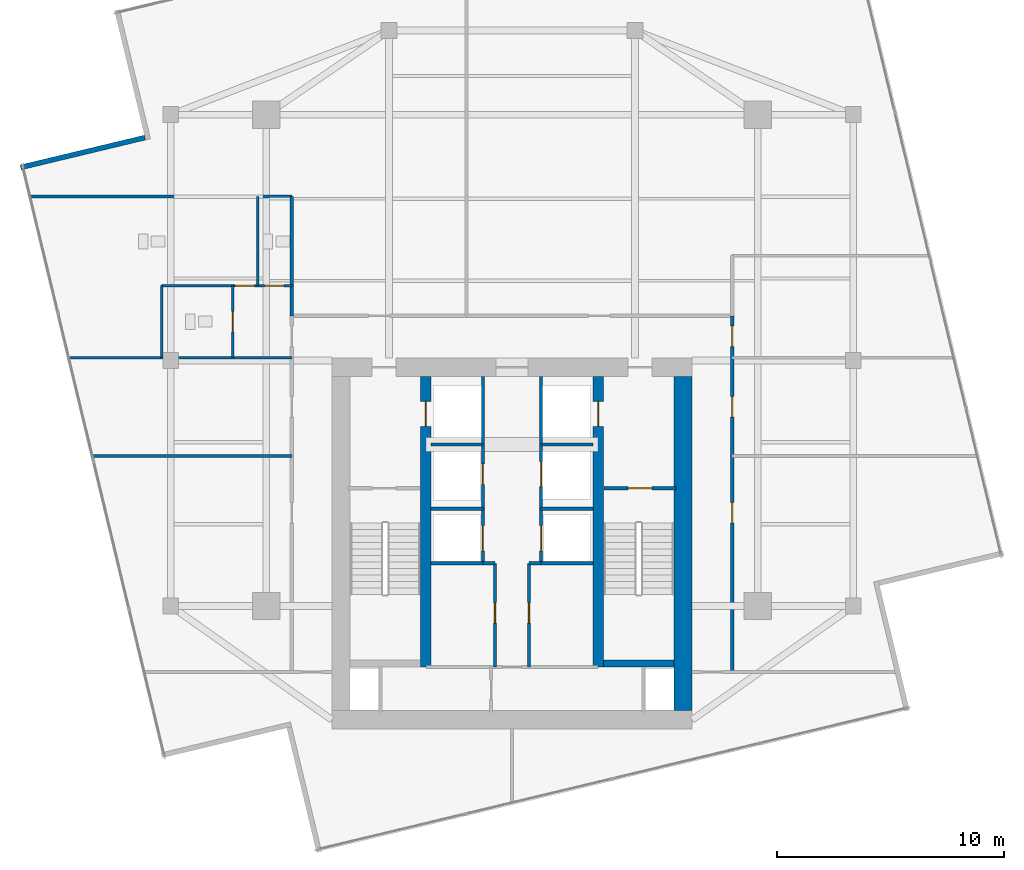
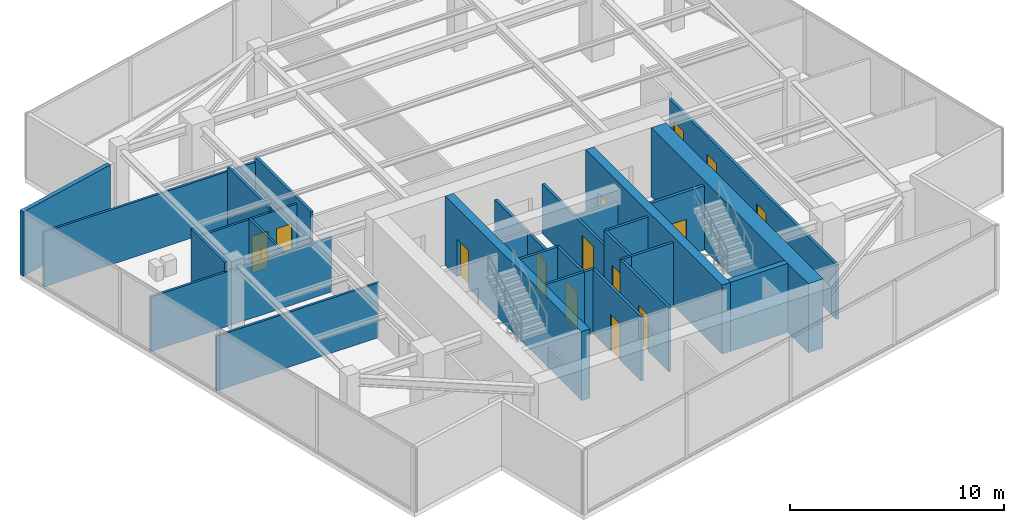
# One storey, part 19 of 22: 29 walls, 15 doors, 15 openings.
"""IFC4 building model written with IfcOpenShell, lengths in metres."""

from ifc_helpers import new_model, si_unit, direction, frame, frame_2d, origin, place, context, subcontext, project, spatial, rectangle, extrude, material, layer, layer_set, type_object, element, fill, save


model = new_model("IFC4")

# Units and contexts
model_context = context("Model", 3, precision=1e-05, world=origin(), true_north=direction((0.0, 1.0)))
body_context = subcontext(model_context, "Body", "Model", "MODEL_VIEW")
ifc_project = project(units=[si_unit("LENGTHUNIT", "METRE"), si_unit("AREAUNIT", "SQUARE_METRE"), si_unit("VOLUMEUNIT", "CUBIC_METRE"), si_unit("PLANEANGLEUNIT", "RADIAN"), si_unit("MASSUNIT", "GRAM", prefix="KILO")], contexts=[model_context])

# Site, building, storey
site_placement = place(None, origin())
site = spatial("IfcSite", under=ifc_project, at=site_placement, CompositionType="ELEMENT")
building_placement = place(site_placement, origin())
building = spatial("IfcBuilding", under=site, at=building_placement, Name="Krantzveldt Concourse Tower", CompositionType="ELEMENT")
storey_placement = place(building_placement, frame((0.0, 0.0, 355.35009765625)))
storey = spatial("IfcBuildingStorey", under=building, at=storey_placement, Name="L87", CompositionType="ELEMENT", Elevation=355.35009765625)

# Walls
ifc_material_1 = material(Name="Anodised aluminium 6063-T6", Category="aluminium")
ifc_layer_1 = layer(ifc_material_1, 0.219970703125, Name="Anodised aluminium 6063-T6", Category="aluminium")
ifc_layer_set_1 = layer_set([ifc_layer_1], Name="Anodised aluminium 6063-T6 (WL-EXT-NOTCH220)")
wall_type_1 = type_object("IfcWallType", Name="WL-EXT-NOTCH220", PredefinedType="ELEMENTEDWALL", material=ifc_layer_set_1)
wall_1_placement = place(storey_placement, frame((19.86767578125, 36.49462890625, 0.0), z_axis=(0.0, 0.0, 1.0), x_axis=(-0.972364840687, -0.233466521361, 0.0)))
element("IfcWall", 1, at=wall_1_placement, inside=storey, type_object=wall_type_1, Name="EW-L87-NCH03", PredefinedType="ELEMENTEDWALL", context=body_context, shape_type="SweptSolid", body=[
    extrude(rectangle(XDim=5.625, YDim=0.219970703125, at=frame_2d((2.8125, 0.0))), origin(), (0.0, 0.0, 1.0), 3.669921875),
])
ifc_material_2 = material(Name="Fire-rated gypsum plasterboard on steel stud", Category="steel")
ifc_layer_2 = layer(ifc_material_2, 0.1201171875, Name="Fire-rated gypsum plasterboard on steel stud", Category="steel")
ifc_layer_set_2 = layer_set([ifc_layer_2], Name="Fire-rated gypsum plasterboard on steel stud (WL-PART-120)")
wall_type_2 = type_object("IfcWallType", Name="WL-PART-120", PredefinedType="PARTITIONING", material=ifc_layer_set_2)
wall_2_placement = place(storey_placement, frame((16.52392578125, 26.820068359375, 0.0), z_axis=(0.0, 0.0, 1.0), x_axis=(1.0, 0.0, 0.0)))
element("IfcWall", 2, at=wall_2_placement, inside=storey, type_object=wall_type_2, Name="WP-L87-WCBS", PredefinedType="PARTITIONING", context=body_context, shape_type="SweptSolid", body=[
    extrude(rectangle(XDim=9.796142578125, YDim=0.1201171875, at=frame_2d((4.89794921875, 0.0))), origin(), (0.0, 0.0, 1.0), 3.1298828125),
])
wall_3_placement = place(storey_placement, frame((14.82421875, 33.89990234375, 0.0), z_axis=(0.0, 0.0, 1.0), x_axis=(1.0, 0.0, 0.0)))
element("IfcWall", 3, at=wall_3_placement, inside=storey, type_object=wall_type_2, Name="WP-L87-WCBN", PredefinedType="PARTITIONING", context=body_context, shape_type="SweptSolid", body=[
    extrude(rectangle(XDim=11.495849609375, YDim=0.1201171875, at=frame_2d((5.748046875, 0.0))), origin(), (0.0, 0.0, 1.0), 3.1298828125),
])

# Wall, openings, doors
wall_4_placement = place(storey_placement, frame((20.60009765625, 29.97998046875, 0.0), z_axis=(0.0, 0.0, 1.0), x_axis=(1.0, 0.0, 0.0)))
wall_4 = element("IfcWall", 4, at=wall_4_placement, inside=storey, type_object=wall_type_2, Name="WP-L87-WCMH", PredefinedType="PARTITIONING", context=body_context, shape_type="SweptSolid", body=[
    extrude(rectangle(XDim=5.719970703125, YDim=0.1201171875, at=frame_2d((2.85986328125, 0.0))), origin(), (0.0, 0.0, 1.0), 3.1298828125),
])
opening_1_placement = place(wall_4_placement, frame((3.22509765625, 0.0, 0.0)))
opening_1 = element("IfcOpeningElement", 5, at=opening_1_placement, cuts=wall_4, Name="Opening D-IN085", PredefinedType="OPENING", context=body_context, shape_type="SweptSolid", body=[
    extrude(rectangle(XDim=0.85009765625, YDim=2.10009765625, at=frame_2d((0.425048828125, 1.050048828125))), frame((0.0, 0.070068359375, 0.0), z_axis=(0.0, -1.0, 0.0), x_axis=(1.0, 0.0, 0.0)), (0.0, 0.0, 1.0), 0.14013671875),
])
opening_2_placement = place(wall_4_placement, frame((4.52490234375, 0.0, 0.0)))
opening_2 = element("IfcOpeningElement", 6, at=opening_2_placement, cuts=wall_4, Name="Opening D-IN085", PredefinedType="OPENING", context=body_context, shape_type="SweptSolid", body=[
    extrude(rectangle(XDim=0.85009765625, YDim=2.10009765625, at=frame_2d((0.425048828125, 1.050048828125))), frame((0.0, 0.070068359375, 0.0), z_axis=(0.0, -1.0, 0.0), x_axis=(1.0, 0.0, 0.0)), (0.0, 0.0, 1.0), 0.14013671875),
])
ifc_material_3 = material(Name="Hardwood timber", Category="wood")
door_type_1 = type_object("IfcDoorType", Name="DR-INT-850", OperationType="SINGLE_SWING_LEFT", PredefinedType="DOOR", material=ifc_material_3)
door_1_placement = place(opening_1_placement, origin())
door_1 = element("IfcDoor", 7, at=door_1_placement, inside=storey, type_object=door_type_1, Name="DR-L87-WCM", OperationType="SINGLE_SWING_LEFT", OverallHeight=2.10009765625, OverallWidth=0.85009765625, PredefinedType="DOOR", context=body_context, shape_type="SweptSolid", body=[
    extrude(rectangle(XDim=0.85009765625, YDim=2.10009765625, at=frame_2d((0.425048828125, 1.050048828125))), frame((0.0, 0.02490234375, 0.0), z_axis=(0.0, -1.0, 0.0), x_axis=(1.0, 0.0, 0.0)), (0.0, 0.0, 1.0), 0.050048828125),
])
fill(opening_1, door_1)
door_2_placement = place(opening_2_placement, origin())
door_2 = element("IfcDoor", 8, at=door_2_placement, inside=storey, type_object=door_type_1, Name="DR-L87-WCF", OperationType="SINGLE_SWING_RIGHT", OverallHeight=2.10009765625, OverallWidth=0.85009765625, PredefinedType="DOOR", context=body_context, shape_type="SweptSolid", body=[
    extrude(rectangle(XDim=0.85009765625, YDim=2.10009765625, at=frame_2d((0.425048828125, 1.050048828125))), frame((0.0, 0.02490234375, 0.0), z_axis=(0.0, -1.0, 0.0), x_axis=(1.0, 0.0, 0.0)), (0.0, 0.0, 1.0), 0.050048828125),
])
fill(opening_2, door_2)

# Wall
wall_5_placement = place(storey_placement, frame((20.60009765625, 26.820068359375, 0.0), z_axis=(0.0, 0.0, 1.0), x_axis=(0.0, 1.0, 0.0)))
element("IfcWall", 9, at=wall_5_placement, inside=storey, type_object=wall_type_2, Name="WP-L87-WCAL", PredefinedType="PARTITIONING", context=body_context, shape_type="SweptSolid", body=[
    extrude(rectangle(XDim=3.159912109375, YDim=0.1201171875, at=frame_2d((1.580078125, 0.0))), origin(), (0.0, 0.0, 1.0), 3.669921875),
])

# Wall, opening, door
wall_6_placement = place(storey_placement, frame((23.719970703125, 26.820068359375, 0.0), z_axis=(0.0, 0.0, 1.0), x_axis=(0.0, 1.0, 0.0)))
wall_6 = element("IfcWall", 10, at=wall_6_placement, inside=storey, type_object=wall_type_2, Name="WP-L87-WCAV", PredefinedType="PARTITIONING", context=body_context, shape_type="SweptSolid", body=[
    extrude(rectangle(XDim=3.159912109375, YDim=0.1201171875, at=frame_2d((1.580078125, 0.0))), origin(), (0.0, 0.0, 1.0), 3.179931640625),
])
opening_3_placement = place(wall_6_placement, frame((1.1298828125, 0.0, 0.0)))
opening_3 = element("IfcOpeningElement", 11, at=opening_3_placement, cuts=wall_6, Name="Opening D-IN090", PredefinedType="OPENING", context=body_context, shape_type="SweptSolid", body=[
    extrude(rectangle(XDim=0.89990234375, YDim=2.10009765625, at=frame_2d((0.449951171875, 1.050048828125))), frame((0.0, 0.070068359375, 0.0), z_axis=(0.0, -1.0, 0.0), x_axis=(1.0, 0.0, 0.0)), (0.0, 0.0, 1.0), 0.14013671875),
])
door_type_2 = type_object("IfcDoorType", Name="DR-INT-900", OperationType="SINGLE_SWING_LEFT", PredefinedType="DOOR", material=ifc_material_3)
door_3_placement = place(opening_3_placement, origin())
door_3 = element("IfcDoor", 12, at=door_3_placement, inside=storey, type_object=door_type_2, Name="DR-L87-WCA", OperationType="SINGLE_SWING_LEFT", OverallHeight=2.10009765625, OverallWidth=0.89990234375, PredefinedType="DOOR", context=body_context, shape_type="SweptSolid", body=[
    extrude(rectangle(XDim=0.89990234375, YDim=2.10009765625, at=frame_2d((0.449951171875, 1.050048828125))), frame((0.0, 0.02490234375, 0.0), z_axis=(0.0, -1.0, 0.0), x_axis=(1.0, 0.0, 0.0)), (0.0, 0.0, 1.0), 0.050048828125),
])
fill(opening_3, door_3)

# Walls
wall_7_placement = place(storey_placement, frame((24.820068359375, 29.97998046875, 0.0), z_axis=(0.0, 0.0, 1.0), x_axis=(0.0, 1.0, 0.0)))
element("IfcWall", 13, at=wall_7_placement, inside=storey, type_object=wall_type_2, Name="WP-L87-WCFD", PredefinedType="PARTITIONING", context=body_context, shape_type="SweptSolid", body=[
    extrude(rectangle(XDim=3.919921875, YDim=0.1201171875, at=frame_2d((1.9599609375, 0.0))), origin(), (0.0, 0.0, 1.0), 3.369873046875),
])
wall_8_placement = place(storey_placement, frame((17.56103515625, 22.5, 0.0), z_axis=(0.0, 0.0, 1.0), x_axis=(1.0, 0.0, 0.0)))
element("IfcWall", 14, at=wall_8_placement, inside=storey, type_object=wall_type_2, Name="WP-L87-WD1", PredefinedType="PARTITIONING", context=body_context, shape_type="SweptSolid", body=[
    extrude(rectangle(XDim=8.759033203125, YDim=0.1201171875, at=frame_2d((4.37939453125, 0.0))), origin(), (0.0, 0.0, 1.0), 3.1298828125),
])

# Wall, openings, doors
ifc_layer_3 = layer(ifc_material_2, 0.139892578125, Name="Fire-rated gypsum plasterboard on steel stud", Category="steel")
ifc_layer_set_3 = layer_set([ifc_layer_3], Name="Fire-rated gypsum plasterboard on steel stud (WL-PART-140)")
wall_type_3 = type_object("IfcWallType", Name="WL-PART-140", PredefinedType="PARTITIONING", material=ifc_layer_set_3)
wall_9_placement = place(storey_placement, frame((45.679931640625, 13.0, 0.0), z_axis=(0.0, 0.0, 1.0), x_axis=(0.0, 1.0, 0.0)))
wall_9 = element("IfcWall", 15, at=wall_9_placement, inside=storey, type_object=wall_type_3, Name="WP-L87-CEAST", PredefinedType="PARTITIONING", context=body_context, shape_type="SweptSolid", body=[
    extrude(rectangle(XDim=15.659912109375, YDim=0.139892578125, at=frame_2d((7.830078125, 0.0))), origin(), (0.0, 0.0, 1.0), 3.1298828125),
])
opening_4_placement = place(wall_9_placement, frame((14.300048828125, 0.0, 0.0)))
opening_4 = element("IfcOpeningElement", 16, at=opening_4_placement, cuts=wall_9, Name="Opening D-IN090", PredefinedType="OPENING", context=body_context, shape_type="SweptSolid", body=[
    extrude(rectangle(XDim=0.89990234375, YDim=2.10009765625, at=frame_2d((0.449951171875, 1.050048828125))), frame((0.0, 0.080078125, 0.0), z_axis=(0.0, -1.0, 0.0), x_axis=(1.0, 0.0, 0.0)), (0.0, 0.0, 1.0), 0.159912109375),
])
opening_5_placement = place(wall_9_placement, frame((6.550048828125, 0.0, 0.0)))
opening_5 = element("IfcOpeningElement", 17, at=opening_5_placement, cuts=wall_9, Name="Opening D-IN090", PredefinedType="OPENING", context=body_context, shape_type="SweptSolid", body=[
    extrude(rectangle(XDim=0.89990234375, YDim=2.10009765625, at=frame_2d((0.449951171875, 1.050048828125))), frame((0.0, 0.080078125, 0.0), z_axis=(0.0, -1.0, 0.0), x_axis=(1.0, 0.0, 0.0)), (0.0, 0.0, 1.0), 0.159912109375),
])
opening_6_placement = place(wall_9_placement, frame((11.2099609375, 0.0, 0.0)))
opening_6 = element("IfcOpeningElement", 18, at=opening_6_placement, cuts=wall_9, Name="Opening D-IN090", PredefinedType="OPENING", context=body_context, shape_type="SweptSolid", body=[
    extrude(rectangle(XDim=0.89990234375, YDim=2.10009765625, at=frame_2d((0.449951171875, 1.050048828125))), frame((0.0, 0.080078125, 0.0), z_axis=(0.0, -1.0, 0.0), x_axis=(1.0, 0.0, 0.0)), (0.0, 0.0, 1.0), 0.159912109375),
])
door_4_placement = place(opening_4_placement, origin())
door_4 = element("IfcDoor", 19, at=door_4_placement, inside=storey, type_object=door_type_2, Name="DR-L87-PNT", OperationType="SINGLE_SWING_RIGHT", OverallHeight=2.10009765625, OverallWidth=0.89990234375, PredefinedType="DOOR", context=body_context, shape_type="SweptSolid", body=[
    extrude(rectangle(XDim=0.89990234375, YDim=2.10009765625, at=frame_2d((0.449951171875, 1.050048828125))), frame((0.0, 0.02490234375, 0.0), z_axis=(0.0, -1.0, 0.0), x_axis=(1.0, 0.0, 0.0)), (0.0, 0.0, 1.0), 0.050048828125),
])
fill(opening_4, door_4)
door_5_placement = place(opening_5_placement, origin())
door_5 = element("IfcDoor", 20, at=door_5_placement, inside=storey, type_object=door_type_2, Name="DR-L87-ER1", OperationType="SINGLE_SWING_LEFT", OverallHeight=2.10009765625, OverallWidth=0.89990234375, PredefinedType="DOOR", context=body_context, shape_type="SweptSolid", body=[
    extrude(rectangle(XDim=0.89990234375, YDim=2.10009765625, at=frame_2d((0.449951171875, 1.050048828125))), frame((0.0, 0.02490234375, 0.0), z_axis=(0.0, -1.0, 0.0), x_axis=(1.0, 0.0, 0.0)), (0.0, 0.0, 1.0), 0.050048828125),
])
fill(opening_5, door_5)
door_6_placement = place(opening_6_placement, origin())
door_6 = element("IfcDoor", 21, at=door_6_placement, inside=storey, type_object=door_type_2, Name="DR-L87-ER2", OperationType="SINGLE_SWING_LEFT", OverallHeight=2.10009765625, OverallWidth=0.89990234375, PredefinedType="DOOR", context=body_context, shape_type="SweptSolid", body=[
    extrude(rectangle(XDim=0.89990234375, YDim=2.10009765625, at=frame_2d((0.449951171875, 1.050048828125))), frame((0.0, 0.02490234375, 0.0), z_axis=(0.0, -1.0, 0.0), x_axis=(1.0, 0.0, 0.0)), (0.0, 0.0, 1.0), 0.050048828125),
])
fill(opening_6, door_6)

# Wall
wall_10_placement = place(storey_placement, frame((26.320068359375, 28.659912109375, 0.0), z_axis=(0.0, 0.0, 1.0), x_axis=(0.0, 1.0, 0.0)))
element("IfcWall", 22, at=wall_10_placement, inside=storey, type_object=wall_type_3, Name="WP-L87-NWL", PredefinedType="PARTITIONING", context=body_context, shape_type="SweptSolid", body=[
    extrude(rectangle(XDim=5.239990234375, YDim=0.139892578125, at=frame_2d((2.6201171875, 0.0))), origin(), (0.0, 0.0, 1.0), 3.429931640625),
])

# Wall, opening, door
ifc_layer_4 = layer(ifc_material_2, 0.139892578125, Name="Fire-rated gypsum plasterboard on steel stud", Category="steel")
ifc_layer_set_4 = layer_set([ifc_layer_4], Name="Fire-rated gypsum plasterboard on steel stud (WL-PART-FR140)")
wall_type_4 = type_object("IfcWallType", Name="WL-PART-FR140", PredefinedType="PARTITIONING", material=ifc_layer_set_4)
wall_11_placement = place(storey_placement, frame((34.719970703125, 20.199951171875, 0.0), z_axis=(0.0, 0.0, 1.0), x_axis=(0.0, 1.0, 0.0)))
wall_11 = element("IfcWall", 23, at=wall_11_placement, inside=storey, type_object=wall_type_4, Name="WP-L87-SHNW", PredefinedType="PARTITIONING", context=body_context, shape_type="SweptSolid", body=[
    extrude(rectangle(XDim=5.780029296875, YDim=0.139892578125, at=frame_2d((2.89013671875, 0.0))), origin(), (0.0, 0.0, 1.0), 2.81982421875),
])
opening_7_placement = place(wall_11_placement, frame((1.050048828125, 0.0, 0.0)))
opening_7 = element("IfcOpeningElement", 24, at=opening_7_placement, cuts=wall_11, Name="Opening D-FD090", PredefinedType="OPENING", context=body_context, shape_type="SweptSolid", body=[
    extrude(rectangle(XDim=0.89990234375, YDim=2.10009765625, at=frame_2d((0.449951171875, 1.050048828125))), frame((0.0, 0.080078125, 0.0), z_axis=(0.0, -1.0, 0.0), x_axis=(1.0, 0.0, 0.0)), (0.0, 0.0, 1.0), 0.159912109375),
])
door_type_3 = type_object("IfcDoorType", Name="DR-FD60-900", OperationType="SINGLE_SWING_LEFT", PredefinedType="DOOR", material=ifc_material_3)
door_7_placement = place(opening_7_placement, origin())
door_7 = element("IfcDoor", 25, at=door_7_placement, inside=storey, type_object=door_type_3, Name="Electrical Riser Access Door L87", OperationType="SINGLE_SWING_LEFT", OverallHeight=2.10009765625, OverallWidth=0.89990234375, PredefinedType="DOOR", context=body_context, shape_type="SweptSolid", body=[
    extrude(rectangle(XDim=0.89990234375, YDim=2.10009765625, at=frame_2d((0.449951171875, 1.050048828125))), frame((0.0, 0.02490234375, 0.0), z_axis=(0.0, -1.0, 0.0), x_axis=(1.0, 0.0, 0.0)), (0.0, 0.0, 1.0), 0.050048828125),
])
fill(opening_7, door_7)

wall_12_placement = place(storey_placement, frame((37.280029296875, 20.199951171875, 0.0), z_axis=(0.0, 0.0, 1.0), x_axis=(0.0, 1.0, 0.0)))
wall_12 = element("IfcWall", 26, at=wall_12_placement, inside=storey, type_object=wall_type_4, Name="WP-L87-SHNE", PredefinedType="PARTITIONING", context=body_context, shape_type="SweptSolid", body=[
    extrude(rectangle(XDim=5.780029296875, YDim=0.139892578125, at=frame_2d((2.89013671875, 0.0))), origin(), (0.0, 0.0, 1.0), 2.81982421875),
])
opening_8_placement = place(wall_12_placement, frame((0.949951171875, 0.0, 0.0)))
opening_8 = element("IfcOpeningElement", 27, at=opening_8_placement, cuts=wall_12, Name="Opening LD", PredefinedType="OPENING", context=body_context, shape_type="SweptSolid", body=[
    extrude(rectangle(XDim=1.10009765625, YDim=2.14990234375, at=frame_2d((0.550048828125, 1.074951171875))), frame((0.0, 0.080078125, 0.0), z_axis=(0.0, -1.0, 0.0), x_axis=(1.0, 0.0, 0.0)), (0.0, 0.0, 1.0), 0.159912109375),
])
ifc_material_4 = material(Name="Stainless steel 316L", Category="steel")
door_type_4 = type_object("IfcDoorType", Name="DR-SLIDE-LD1100", OperationType="DOUBLE_DOOR_SLIDING", PredefinedType="DOOR", material=ifc_material_4)
door_8_placement = place(opening_8_placement, origin())
door_8 = element("IfcDoor", 28, at=door_8_placement, inside=storey, type_object=door_type_4, Name="LD-L87-GL1", OperationType="DOUBLE_DOOR_SLIDING", OverallHeight=2.14990234375, OverallWidth=1.10009765625, PredefinedType="DOOR", context=body_context, shape_type="SweptSolid", body=[
    extrude(rectangle(XDim=1.10009765625, YDim=2.14990234375, at=frame_2d((0.550048828125, 1.074951171875))), frame((0.0, 0.02490234375, 0.0), z_axis=(0.0, -1.0, 0.0), x_axis=(1.0, 0.0, 0.0)), (0.0, 0.0, 1.0), 0.050048828125),
])
fill(opening_8, door_8)

# Walls
for number, where, z_axis, x_axis, name in (
    (29, (32.449951171875, 23.0, 0.0), (0.0, 0.0, 1.0), (1.0, 0.0, 0.0), "WP-L87-RISH"),
    (30, (37.280029296875, 23.0, 0.0), (0.0, 0.0, 1.0), (1.0, 0.0, 0.0), "WP-L87-GLH"),
):
    element("IfcWall", number, at=place(storey_placement, frame(where, z_axis=z_axis, x_axis=x_axis)), inside=storey, type_object=wall_type_4, Name=name, PredefinedType="PARTITIONING", context=body_context, shape_type="SweptSolid", body=[
        extrude(rectangle(XDim=2.27001953125, YDim=0.139892578125, at=frame_2d((1.135009765625, 0.0))), origin(), (0.0, 0.0, 1.0), 2.81982421875),
    ])

# Wall, opening, door
wall_13_placement = place(storey_placement, frame((34.719970703125, 17.780029296875, 0.0), z_axis=(0.0, 0.0, 1.0), x_axis=(0.0, 1.0, 0.0)))
wall_13 = element("IfcWall", 31, at=wall_13_placement, inside=storey, type_object=wall_type_4, Name="WP-L87-SHNW2", PredefinedType="PARTITIONING", context=body_context, shape_type="SweptSolid", body=[
    extrude(rectangle(XDim=2.419921875, YDim=0.139892578125, at=frame_2d((1.2099609375, 0.0))), origin(), (0.0, 0.0, 1.0), 3.669921875),
])
opening_9_placement = place(wall_13_placement, frame((0.550048828125, 0.0, 0.0)))
opening_9 = element("IfcOpeningElement", 32, at=opening_9_placement, cuts=wall_13, Name="Opening LD", PredefinedType="OPENING", context=body_context, shape_type="SweptSolid", body=[
    extrude(rectangle(XDim=1.10009765625, YDim=2.14990234375, at=frame_2d((0.550048828125, 1.074951171875))), frame((0.0, 0.080078125, 0.0), z_axis=(0.0, -1.0, 0.0), x_axis=(1.0, 0.0, 0.0)), (0.0, 0.0, 1.0), 0.159912109375),
])
door_9_placement = place(opening_9_placement, origin())
door_9 = element("IfcDoor", 33, at=door_9_placement, inside=storey, type_object=door_type_4, Name="LD-L87-PH1", OperationType="DOUBLE_DOOR_SLIDING", OverallHeight=2.14990234375, OverallWidth=1.10009765625, PredefinedType="DOOR", context=body_context, shape_type="SweptSolid", body=[
    extrude(rectangle(XDim=1.10009765625, YDim=2.14990234375, at=frame_2d((0.550048828125, 1.074951171875))), frame((0.0, 0.02490234375, 0.0), z_axis=(0.0, -1.0, 0.0), x_axis=(1.0, 0.0, 0.0)), (0.0, 0.0, 1.0), 0.050048828125),
])
fill(opening_9, door_9)

wall_14_placement = place(storey_placement, frame((37.280029296875, 17.780029296875, 0.0), z_axis=(0.0, 0.0, 1.0), x_axis=(0.0, 1.0, 0.0)))
wall_14 = element("IfcWall", 34, at=wall_14_placement, inside=storey, type_object=wall_type_4, Name="WP-L87-SHNE2", PredefinedType="PARTITIONING", context=body_context, shape_type="SweptSolid", body=[
    extrude(rectangle(XDim=2.419921875, YDim=0.139892578125, at=frame_2d((1.2099609375, 0.0))), origin(), (0.0, 0.0, 1.0), 3.669921875),
])
opening_10_placement = place(wall_14_placement, frame((0.550048828125, 0.0, 0.0)))
opening_10 = element("IfcOpeningElement", 35, at=opening_10_placement, cuts=wall_14, Name="Opening LD", PredefinedType="OPENING", context=body_context, shape_type="SweptSolid", body=[
    extrude(rectangle(XDim=1.10009765625, YDim=2.14990234375, at=frame_2d((0.550048828125, 1.074951171875))), frame((0.0, 0.080078125, 0.0), z_axis=(0.0, -1.0, 0.0), x_axis=(1.0, 0.0, 0.0)), (0.0, 0.0, 1.0), 0.159912109375),
])
door_10_placement = place(opening_10_placement, origin())
door_10 = element("IfcDoor", 36, at=door_10_placement, inside=storey, type_object=door_type_4, Name="LD-L87-PH2", OperationType="DOUBLE_DOOR_SLIDING", OverallHeight=2.14990234375, OverallWidth=1.10009765625, PredefinedType="DOOR", context=body_context, shape_type="SweptSolid", body=[
    extrude(rectangle(XDim=1.10009765625, YDim=2.14990234375, at=frame_2d((0.550048828125, 1.074951171875))), frame((0.0, 0.02490234375, 0.0), z_axis=(0.0, -1.0, 0.0), x_axis=(1.0, 0.0, 0.0)), (0.0, 0.0, 1.0), 0.050048828125),
])
fill(opening_10, door_10)

# Walls
for number, where, z_axis, x_axis, name in (
    (37, (32.449951171875, 17.780029296875, 0.0), (0.0, 0.0, 1.0), (1.0, 0.0, 0.0), "WP-L87-DIVW2"),
    (38, (32.449951171875, 20.179931640625, 0.0), (0.0, 0.0, 1.0), (1.0, 0.0, 0.0), "WP-L87-DIVW3"),
    (39, (37.280029296875, 17.780029296875, 0.0), (0.0, 0.0, 1.0), (1.0, 0.0, 0.0), "WP-L87-DIVE2"),
    (40, (37.280029296875, 20.179931640625, 0.0), (0.0, 0.0, 1.0), (1.0, 0.0, 0.0), "WP-L87-DIVE3"),
):
    element("IfcWall", number, at=place(storey_placement, frame(where, z_axis=z_axis, x_axis=x_axis)), inside=storey, type_object=wall_type_4, Name=name, PredefinedType="PARTITIONING", context=body_context, shape_type="SweptSolid", body=[
        extrude(rectangle(XDim=2.27001953125, YDim=0.139892578125, at=frame_2d((1.135009765625, 0.0))), origin(), (0.0, 0.0, 1.0), 3.669921875),
    ])

# Wall, opening, door
wall_15_placement = place(storey_placement, frame((35.25, 13.219970703125, 0.0), z_axis=(0.0, 0.0, 1.0), x_axis=(0.0, 1.0, 0.0)))
wall_15 = element("IfcWall", 41, at=wall_15_placement, inside=storey, type_object=wall_type_4, Name="WP-L87-RECW", PredefinedType="PARTITIONING", context=body_context, shape_type="SweptSolid", body=[
    extrude(rectangle(XDim=4.56005859375, YDim=0.139892578125, at=frame_2d((2.280029296875, 0.0))), origin(), (0.0, 0.0, 1.0), 3.669921875),
])
opening_11_placement = place(wall_15_placement, frame((1.929931640625, 0.0, 0.0)))
opening_11 = element("IfcOpeningElement", 42, at=opening_11_placement, cuts=wall_15, Name="Opening D-FD090", PredefinedType="OPENING", context=body_context, shape_type="SweptSolid", body=[
    extrude(rectangle(XDim=0.89990234375, YDim=2.10009765625, at=frame_2d((0.449951171875, 1.050048828125))), frame((0.0, 0.080078125, 0.0), z_axis=(0.0, -1.0, 0.0), x_axis=(1.0, 0.0, 0.0)), (0.0, 0.0, 1.0), 0.159912109375),
])
door_11_placement = place(opening_11_placement, origin())
door_11 = element("IfcDoor", 43, at=door_11_placement, inside=storey, type_object=door_type_3, Name="DR-L87-RECW", OperationType="SINGLE_SWING_LEFT", OverallHeight=2.10009765625, OverallWidth=0.89990234375, PredefinedType="DOOR", context=body_context, shape_type="SweptSolid", body=[
    extrude(rectangle(XDim=0.89990234375, YDim=2.10009765625, at=frame_2d((0.449951171875, 1.050048828125))), frame((0.0, 0.02490234375, 0.0), z_axis=(0.0, -1.0, 0.0), x_axis=(1.0, 0.0, 0.0)), (0.0, 0.0, 1.0), 0.050048828125),
])
fill(opening_11, door_11)

# Wall
wall_16_placement = place(storey_placement, frame((34.719970703125, 17.780029296875, 0.0), z_axis=(0.0, 0.0, 1.0), x_axis=(1.0, 0.0, 0.0)))
element("IfcWall", 44, at=wall_16_placement, inside=storey, type_object=wall_type_4, Name="WP-L87-RECWN", PredefinedType="PARTITIONING", context=body_context, shape_type="SweptSolid", body=[
    extrude(rectangle(XDim=0.530029296875, YDim=0.139892578125, at=frame_2d((0.26513671875, 0.0))), origin(), (0.0, 0.0, 1.0), 3.669921875),
])

# Wall, opening, door
wall_17_placement = place(storey_placement, frame((36.75, 13.219970703125, 0.0), z_axis=(0.0, 0.0, 1.0), x_axis=(0.0, 1.0, 0.0)))
wall_17 = element("IfcWall", 45, at=wall_17_placement, inside=storey, type_object=wall_type_4, Name="WP-L87-RECE", PredefinedType="PARTITIONING", context=body_context, shape_type="SweptSolid", body=[
    extrude(rectangle(XDim=4.56005859375, YDim=0.139892578125, at=frame_2d((2.280029296875, 0.0))), origin(), (0.0, 0.0, 1.0), 3.669921875),
])
opening_12_placement = place(wall_17_placement, frame((1.929931640625, 0.0, 0.0)))
opening_12 = element("IfcOpeningElement", 46, at=opening_12_placement, cuts=wall_17, Name="Opening D-FD090", PredefinedType="OPENING", context=body_context, shape_type="SweptSolid", body=[
    extrude(rectangle(XDim=0.89990234375, YDim=2.10009765625, at=frame_2d((0.449951171875, 1.050048828125))), frame((0.0, 0.080078125, 0.0), z_axis=(0.0, -1.0, 0.0), x_axis=(1.0, 0.0, 0.0)), (0.0, 0.0, 1.0), 0.159912109375),
])
door_12_placement = place(opening_12_placement, origin())
door_12 = element("IfcDoor", 47, at=door_12_placement, inside=storey, type_object=door_type_3, Name="DR-L87-RECE", OperationType="SINGLE_SWING_RIGHT", OverallHeight=2.10009765625, OverallWidth=0.89990234375, PredefinedType="DOOR", context=body_context, shape_type="SweptSolid", body=[
    extrude(rectangle(XDim=0.89990234375, YDim=2.10009765625, at=frame_2d((0.449951171875, 1.050048828125))), frame((0.0, 0.02490234375, 0.0), z_axis=(0.0, -1.0, 0.0), x_axis=(1.0, 0.0, 0.0)), (0.0, 0.0, 1.0), 0.050048828125),
])
fill(opening_12, door_12)

# Wall
wall_18_placement = place(storey_placement, frame((36.75, 17.780029296875, 0.0), z_axis=(0.0, 0.0, 1.0), x_axis=(1.0, 0.0, 0.0)))
element("IfcWall", 48, at=wall_18_placement, inside=storey, type_object=wall_type_4, Name="WP-L87-RECEN", PredefinedType="PARTITIONING", context=body_context, shape_type="SweptSolid", body=[
    extrude(rectangle(XDim=0.530029296875, YDim=0.139892578125, at=frame_2d((0.26513671875, 0.0))), origin(), (0.0, 0.0, 1.0), 3.669921875),
])

# Wall, opening, door
ifc_layer_5 = layer(ifc_material_2, 0.159912109375, Name="Fire-rated gypsum plasterboard on steel stud", Category="steel")
ifc_layer_set_5 = layer_set([ifc_layer_5], Name="Fire-rated gypsum plasterboard on steel stud (WL-PART-FR160)")
wall_type_5 = type_object("IfcWallType", Name="WL-PART-FR160", PredefinedType="PARTITIONING", material=ifc_layer_set_5)
wall_19_placement = place(storey_placement, frame((40.0400390625, 21.080078125, 0.0), z_axis=(0.0, 0.0, 1.0), x_axis=(1.0, 0.0, 0.0)))
wall_19 = element("IfcWall", 49, at=wall_19_placement, inside=storey, type_object=wall_type_5, Name="WP-L87-ST2", PredefinedType="PARTITIONING", context=body_context, shape_type="SweptSolid", body=[
    extrude(rectangle(XDim=3.159912109375, YDim=0.159912109375, at=frame_2d((1.580078125, 0.0))), origin(), (0.0, 0.0, 1.0), 3.669921875),
])
opening_13_placement = place(wall_19_placement, frame((1.054931640625, 0.0, 0.0)))
opening_13 = element("IfcOpeningElement", 50, at=opening_13_placement, cuts=wall_19, Name="Opening D-FD105", PredefinedType="OPENING", context=body_context, shape_type="SweptSolid", body=[
    extrude(rectangle(XDim=1.050048828125, YDim=2.10009765625, at=frame_2d((0.52490234375, 1.050048828125))), frame((0.0, 0.08984375, 0.0), z_axis=(0.0, -1.0, 0.0), x_axis=(1.0, 0.0, 0.0)), (0.0, 0.0, 1.0), 0.179931640625),
])
ifc_material_5 = material(Name="Galvanised steel", Category="steel")
door_type_5 = type_object("IfcDoorType", Name="DR-FD120-1050", OperationType="SINGLE_SWING_LEFT", PredefinedType="DOOR", material=ifc_material_5)
door_13_placement = place(opening_13_placement, origin())
door_13 = element("IfcDoor", 51, at=door_13_placement, inside=storey, type_object=door_type_5, Name="DR-L87-ST2", OperationType="SINGLE_SWING_LEFT", OverallHeight=2.10009765625, OverallWidth=1.050048828125, PredefinedType="DOOR", context=body_context, shape_type="SweptSolid", body=[
    extrude(rectangle(XDim=1.050048828125, YDim=2.10009765625, at=frame_2d((0.52490234375, 1.050048828125))), frame((0.0, 0.02490234375, 0.0), z_axis=(0.0, -1.0, 0.0), x_axis=(1.0, 0.0, 0.0)), (0.0, 0.0, 1.0), 0.050048828125),
])
fill(opening_13, door_13)

# Wall
ifc_material_6 = material(Name="Concrete C50/60", Category="concrete")
ifc_layer_6 = layer(ifc_material_6, 0.300048828125, Name="Concrete C50/60", Category="concrete")
ifc_layer_set_6 = layer_set([ifc_layer_6], Name="Concrete C50/60 (WL-SHEAR-300)")
wall_type_6 = type_object("IfcWallType", Name="WL-SHEAR-300", PredefinedType="SHEAR", material=ifc_layer_set_6)
wall_20_placement = place(storey_placement, frame((40.02001953125, 13.3701171875, 0.0), z_axis=(0.0, 0.0, 1.0), x_axis=(1.0, 0.0, 0.0)))
element("IfcWall", 52, at=wall_20_placement, inside=storey, type_object=wall_type_6, Name="CW-L87-ST2S", PredefinedType="SHEAR", context=body_context, shape_type="SweptSolid", body=[
    extrude(rectangle(XDim=3.10009765625, YDim=0.300048828125, at=frame_2d((1.550048828125, 0.0))), origin(), (0.0, 0.0, 1.0), 3.949951171875),
])

# Wall, opening, door
ifc_layer_7 = layer(ifc_material_6, 0.449951171875, Name="Concrete C50/60", Category="concrete")
ifc_layer_set_7 = layer_set([ifc_layer_7], Name="Concrete C50/60 (WL-SHEAR-450)")
wall_type_7 = type_object("IfcWallType", Name="WL-SHEAR-450", PredefinedType="SHEAR", material=ifc_layer_set_7)
wall_21_placement = place(storey_placement, frame((32.205078125, 13.219970703125, 0.0), z_axis=(0.0, 0.0, 1.0), x_axis=(0.0, 1.0, 0.0)))
wall_21 = element("IfcWall", 53, at=wall_21_placement, inside=storey, type_object=wall_type_7, Name="CW-L87-IW", PredefinedType="SHEAR", context=body_context, shape_type="SweptSolid", body=[
    extrude(rectangle(XDim=12.780029296875, YDim=0.449951171875, at=frame_2d((6.39013671875, 0.0))), origin(), (0.0, 0.0, 1.0), 3.949951171875),
])
opening_14_placement = place(wall_21_placement, frame((10.580078125, 0.0, 0.0)))
opening_14 = element("IfcOpeningElement", 54, at=opening_14_placement, cuts=wall_21, Name="Opening LD", PredefinedType="OPENING", context=body_context, shape_type="SweptSolid", body=[
    extrude(rectangle(XDim=1.10009765625, YDim=2.14990234375, at=frame_2d((0.550048828125, 1.074951171875))), frame((0.0, 0.23486328125, 0.0), z_axis=(0.0, -1.0, 0.0), x_axis=(1.0, 0.0, 0.0)), (0.0, 0.0, 1.0), 0.469970703125),
])
door_14_placement = place(opening_14_placement, origin())
door_14 = element("IfcDoor", 55, at=door_14_placement, inside=storey, type_object=door_type_4, Name="LD-L87-FL1", OperationType="DOUBLE_DOOR_SLIDING", OverallHeight=2.14990234375, OverallWidth=1.10009765625, PredefinedType="DOOR", context=body_context, shape_type="SweptSolid", body=[
    extrude(rectangle(XDim=1.10009765625, YDim=2.14990234375, at=frame_2d((0.550048828125, 1.074951171875))), frame((0.0, 0.02490234375, 0.0), z_axis=(0.0, -1.0, 0.0), x_axis=(1.0, 0.0, 0.0)), (0.0, 0.0, 1.0), 0.050048828125),
])
fill(opening_14, door_14)

wall_22_placement = place(storey_placement, frame((39.794921875, 13.219970703125, 0.0), z_axis=(0.0, 0.0, 1.0), x_axis=(0.0, 1.0, 0.0)))
wall_22 = element("IfcWall", 56, at=wall_22_placement, inside=storey, type_object=wall_type_7, Name="CW-L87-IE", PredefinedType="SHEAR", context=body_context, shape_type="SweptSolid", body=[
    extrude(rectangle(XDim=12.780029296875, YDim=0.449951171875, at=frame_2d((6.39013671875, 0.0))), origin(), (0.0, 0.0, 1.0), 3.949951171875),
])
opening_15_placement = place(wall_22_placement, frame((10.580078125, 0.0, 0.0)))
opening_15 = element("IfcOpeningElement", 57, at=opening_15_placement, cuts=wall_22, Name="Opening LD", PredefinedType="OPENING", context=body_context, shape_type="SweptSolid", body=[
    extrude(rectangle(XDim=1.10009765625, YDim=2.14990234375, at=frame_2d((0.550048828125, 1.074951171875))), frame((0.0, 0.23486328125, 0.0), z_axis=(0.0, -1.0, 0.0), x_axis=(1.0, 0.0, 0.0)), (0.0, 0.0, 1.0), 0.469970703125),
])
door_15_placement = place(opening_15_placement, origin())
door_15 = element("IfcDoor", 58, at=door_15_placement, inside=storey, type_object=door_type_4, Name="LD-L87-FL2", OperationType="DOUBLE_DOOR_SLIDING", OverallHeight=2.14990234375, OverallWidth=1.10009765625, PredefinedType="DOOR", context=body_context, shape_type="SweptSolid", body=[
    extrude(rectangle(XDim=1.10009765625, YDim=2.14990234375, at=frame_2d((0.550048828125, 1.074951171875))), frame((0.0, 0.02490234375, 0.0), z_axis=(0.0, -1.0, 0.0), x_axis=(1.0, 0.0, 0.0)), (0.0, 0.0, 1.0), 0.050048828125),
])
fill(opening_15, door_15)

# Wall
ifc_material_7 = material(Name="Concrete C60/75", Category="concrete")
ifc_layer_8 = layer(ifc_material_7, 0.800048828125, Name="Concrete C60/75", Category="concrete")
ifc_layer_set_8 = layer_set([ifc_layer_8], Name="Concrete C60/75 (WL-SHEAR-800)")
wall_type_8 = type_object("IfcWallType", Name="WL-SHEAR-800", PredefinedType="SHEAR", material=ifc_layer_set_8)
wall_23_placement = place(storey_placement, frame((43.52001953125, 11.300048828125, 0.0), z_axis=(0.0, 0.0, 1.0), x_axis=(0.0, 1.0, 0.0)))
element("IfcWall", 59, at=wall_23_placement, inside=storey, type_object=wall_type_8, Name="CW-L87-E", PredefinedType="SHEAR", context=body_context, shape_type="SweptSolid", body=[
    extrude(rectangle(XDim=14.699951171875, YDim=0.800048828125, at=frame_2d((7.35009765625, 0.0))), origin(), (0.0, 0.0, 1.0), 3.949951171875),
])

save(model, "model.ifc")
